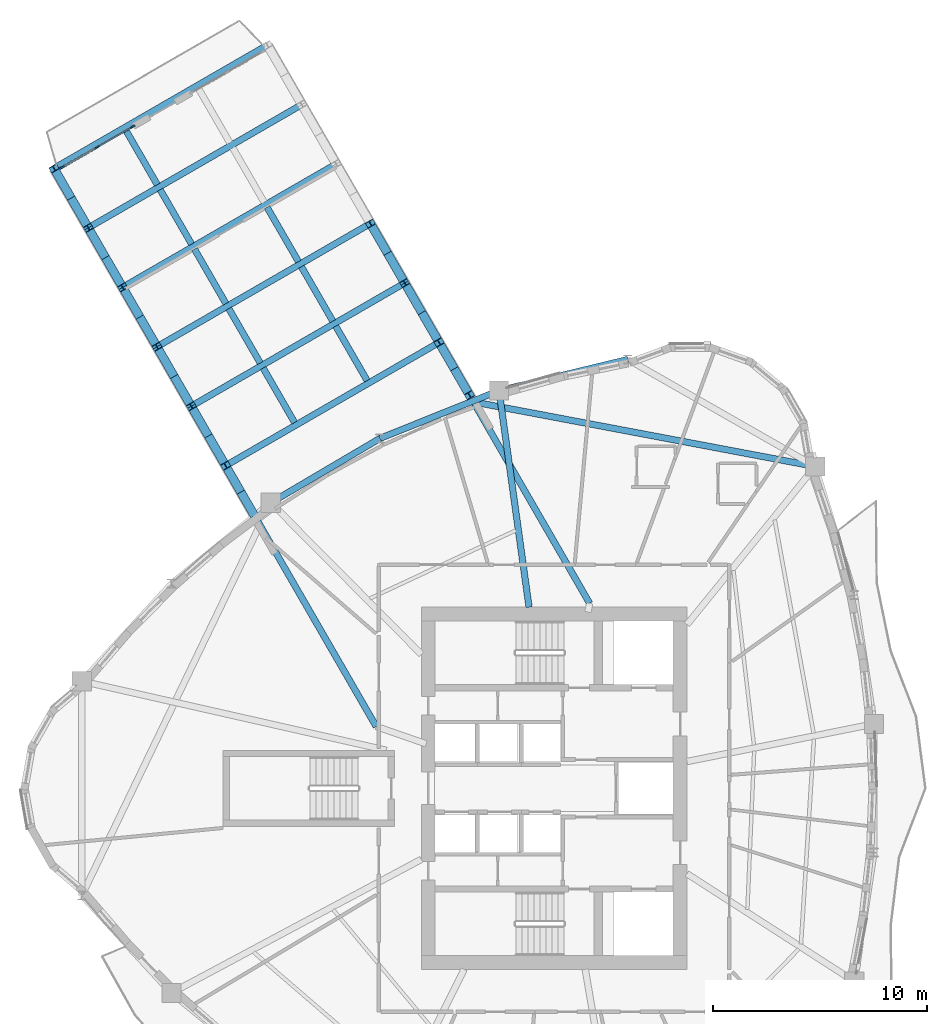
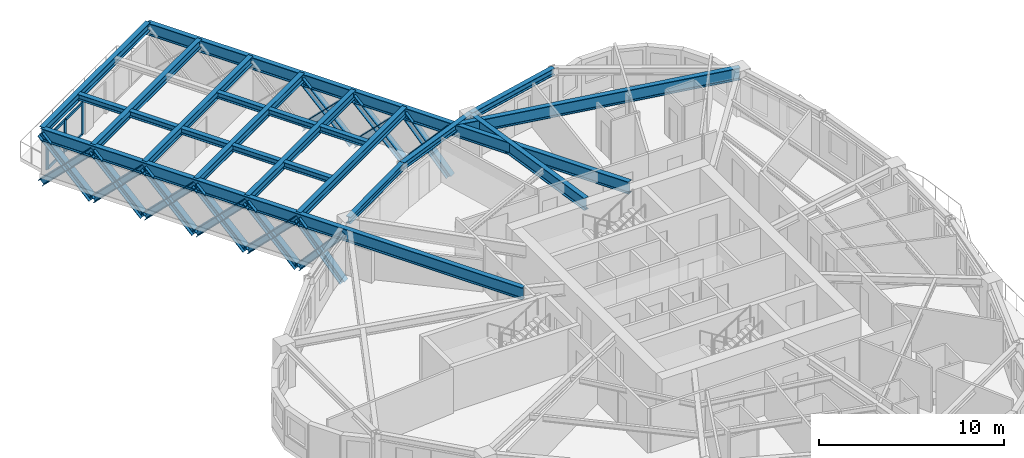
# One storey, part 2 of 14: 25 members, 21 beams, 1 element without a shape of its own.
"""IFC4 building model written with IfcOpenShell, lengths in metres."""

from ifc_helpers import new_model, si_unit, direction, frame, origin, origin_2d, place, context, subcontext, project, spatial, rectangle, i_section, extrude, source, transform, mapped, material, layer, layer_set, material_profile, profile_set, type_object, element, aggregate, save


model = new_model("IFC4")

# Units and contexts
model_context = context("Model", 3, precision=1e-05, world=origin(), true_north=direction((0.0, 1.0)))
body_context = subcontext(model_context, "Body", "Model", "MODEL_VIEW")
ifc_project = project(units=[si_unit("LENGTHUNIT", "METRE"), si_unit("AREAUNIT", "SQUARE_METRE"), si_unit("VOLUMEUNIT", "CUBIC_METRE"), si_unit("PLANEANGLEUNIT", "RADIAN"), si_unit("MASSUNIT", "GRAM", prefix="KILO")], contexts=[model_context])

# Site, building, storey
site_placement = place(None, origin())
site = spatial("IfcSite", under=ifc_project, at=site_placement, CompositionType="ELEMENT")
building_placement = place(site_placement, origin())
building = spatial("IfcBuilding", under=site, at=building_placement, Name="Qafzar Sky-Pleat Residences", CompositionType="ELEMENT")
storey_placement = place(building_placement, frame((0.0, 0.0, 83.199951171875)))
storey = spatial("IfcBuildingStorey", under=building, at=storey_placement, Name="L24", CompositionType="ELEMENT", Elevation=83.199951171875)

# Beams
ifc_material_1 = material(Name="Steel S355", Category="steel")
ifc_material_profile_1 = material_profile(ifc_material_1, i_section(OverallWidth=0.300048828125, OverallDepth=0.449951171875, WebThickness=0.013916015625, FlangeThickness=0.02587890625, FilletRadius=0.027099609375, at=origin_2d()), Name="HEB 450")
ifc_profile_set_1 = profile_set([ifc_material_profile_1], Name="Steel S355")
beam_type_1 = type_object("IfcBeamType", Name="BM-SPAN-HEB450", PredefinedType="SPANDREL", material=ifc_profile_set_1)
shared_shape_1 = source(origin(), body_context, "Body", "SweptSolid", [
    extrude(i_section(OverallWidth=0.300048828125, OverallDepth=0.449951171875, WebThickness=0.013916015625, FlangeThickness=0.02587890625, FilletRadius=0.027099609375, at=origin_2d()), origin(), (0.0, 0.0, 1.0), 5.914794921875),
])
beam_1_placement = place(storey_placement, frame((22.2265625, 42.331298828125, 2.7080078125), z_axis=(-0.861437212356, -0.50786408533, 0.0), x_axis=(0.50786408533, -0.861437212356, 0.0)))
element("IfcBeam", 1, at=beam_1_placement, inside=storey, type_object=beam_type_1, Name="L24 Perimeter Spandrel Beam 16", PredefinedType="SPANDREL", context=body_context, shape_type="MappedRepresentation", body=[
    mapped(shared_shape_1, transform((0.0, 0.0, 0.0), x_axis=(1.0, 0.0, 0.0), y_axis=(0.0, 1.0, 0.0), z_axis=(0.0, 0.0, 1.0), scale=1.0)),
])
shared_shape_2 = source(origin(), body_context, "Body", "SweptSolid", [
    extrude(i_section(OverallWidth=0.300048828125, OverallDepth=0.449951171875, WebThickness=0.013916015625, FlangeThickness=0.02587890625, FilletRadius=0.027099609375, at=origin_2d()), origin(), (0.0, 0.0, 1.0), 5.98291015625),
])
beam_2_placement = place(storey_placement, frame((27.778564453125, 44.560546875, 2.7080078125), z_axis=(-0.927989024901, -0.372607527653, 0.0), x_axis=(0.372607527653, -0.927989024901, 0.0)))
element("IfcBeam", 2, at=beam_2_placement, inside=storey, type_object=beam_type_1, Name="L24 Perimeter Spandrel Beam 15", PredefinedType="SPANDREL", context=body_context, shape_type="MappedRepresentation", body=[
    mapped(shared_shape_2, transform((0.0, 0.0, 0.0), x_axis=(1.0, 0.0, 0.0), y_axis=(0.0, 1.0, 0.0), z_axis=(0.0, 0.0, 1.0), scale=1.0)),
])
shared_shape_3 = source(origin(), body_context, "Body", "SweptSolid", [
    extrude(i_section(OverallWidth=0.300048828125, OverallDepth=0.449951171875, WebThickness=0.013916015625, FlangeThickness=0.02587890625, FilletRadius=0.027099609375, at=origin_2d()), origin(), (0.0, 0.0, 1.0), 6.18212890625),
])
beam_3_placement = place(storey_placement, frame((33.787109375, 46.015380859375, 2.7080078125), z_axis=(-0.971916102979, -0.235327620074, 0.0), x_axis=(0.235327620074, -0.971916102979, 0.0)))
element("IfcBeam", 3, at=beam_3_placement, inside=storey, type_object=beam_type_1, Name="L24 Perimeter Spandrel Beam 14", PredefinedType="SPANDREL", context=body_context, shape_type="MappedRepresentation", body=[
    mapped(shared_shape_3, transform((0.0, 0.0, 0.0), x_axis=(1.0, 0.0, 0.0), y_axis=(0.0, 1.0, 0.0), z_axis=(0.0, 0.0, 1.0), scale=1.0)),
])
ifc_material_2 = material(Name="Steel S460", Category="steel")
ifc_material_profile_2 = material_profile(ifc_material_2, i_section(OverallWidth=0.300048828125, OverallDepth=0.800048828125, WebThickness=0.017578125, FlangeThickness=0.032958984375, FilletRadius=0.030029296875, at=origin_2d()), Name="HEB 800")
ifc_profile_set_2 = profile_set([ifc_material_profile_2], Name="Steel S460")
beam_type_2 = type_object("IfcBeamType", Name="BM-CHORD-HEB800", PredefinedType="BEAM", material=ifc_profile_set_2)
shared_shape_4 = source(origin(), body_context, "Body", "SweptSolid", [
    extrude(i_section(OverallWidth=0.300048828125, OverallDepth=0.800048828125, WebThickness=0.017578125, FlangeThickness=0.032958984375, FilletRadius=0.030029296875, at=origin_2d()), origin(), (0.0, 0.0, 1.0), 10.20703125),
])
beam_4_placement = place(storey_placement, frame((27.778564453125, 44.560546875, 2.532958984375), z_axis=(0.137220936727, -0.990540465869, 0.0), x_axis=(0.990540465869, 0.137220936727, 0.0)))
element("IfcBeam", 4, at=beam_4_placement, inside=storey, type_object=beam_type_2, Name="L24 Radial Floor Girder 15", PredefinedType="BEAM", context=body_context, shape_type="MappedRepresentation", body=[
    mapped(shared_shape_4, transform((0.0, 0.0, 0.0), x_axis=(1.0, 0.0, 0.0), y_axis=(0.0, 1.0, 0.0), z_axis=(0.0, 0.0, 1.0), scale=1.0)),
])
shared_shape_5 = source(origin(), body_context, "Body", "SweptSolid", [
    extrude(i_section(OverallWidth=0.300048828125, OverallDepth=0.800048828125, WebThickness=0.017578125, FlangeThickness=0.032958984375, FilletRadius=0.030029296875, at=origin_2d()), origin(), (0.0, 0.0, 1.0), 30.072998046875),
])
for number, where, z_axis, x_axis, name in (
    (5, (22.04541015625, 28.884033203125, 2.532958984375), (-0.50000354778, 0.866023355463, 0.0), (-0.866023355463, -0.50000354778, 0.0), "L24 SB-2 Truss Chord L1"),
    (6, (32.004638671875, 34.634033203125, 2.532958984375), (-0.50000354778, 0.866023355463, 0.0), (-0.866023355463, -0.50000354778, 0.0), "L24 SB-2 Truss Chord R1"),
):
    element("IfcBeam", number, at=place(storey_placement, frame(where, z_axis=z_axis, x_axis=x_axis)), inside=storey, type_object=beam_type_2, Name=name, PredefinedType="BEAM", context=body_context, shape_type="MappedRepresentation", body=[
        mapped(shared_shape_5, transform((0.0, 0.0, 0.0), x_axis=(1.0, 0.0, 0.0), y_axis=(0.0, 1.0, 0.0), z_axis=(0.0, 0.0, 1.0), scale=1.0)),
    ])

# Members
ifc_material_profile_3 = material_profile(ifc_material_2, i_section(OverallWidth=0.40087890625, OverallDepth=0.39892578125, WebThickness=0.02294921875, FlangeThickness=0.035888671875, FilletRadius=0.014892578125, at=origin_2d()), Name="HD 400x314")
ifc_profile_set_3 = profile_set([ifc_material_profile_3], Name="Steel S460")
member_type_1 = type_object("IfcMemberType", Name="MEM-SB-DIAG", PredefinedType="BRACE", material=ifc_profile_set_3)
shared_shape_6 = source(origin(), body_context, "Body", "SweptSolid", [
    extrude(i_section(OverallWidth=0.40087890625, OverallDepth=0.39892578125, WebThickness=0.02294921875, FlangeThickness=0.035888671875, FilletRadius=0.014892578125, at=origin_2d()), origin(), (0.0, 0.0, 1.0), 4.281005859375),
])
for number, where, z_axis, x_axis, name in (
    (7, (16.4404296875, 38.59228515625, -0.6669921875), (-0.332144495251, 0.575264684683, 0.747496205229), (-0.866015446554, -0.500017246033, 0.0), "L24 SB-2 Truss Web Diagonal L1A"),
    (8, (16.4404296875, 38.59228515625, 2.532958984375), (-0.332144495251, 0.575264684683, -0.747496205229), (-0.866015446554, -0.500017246033, 0.0), "L24 SB-2 Truss Web Diagonal L1B"),
    (9, (26.399658203125, 44.34228515625, -0.6669921875), (-0.332144495251, 0.575264684683, 0.747496205229), (-0.866015446554, -0.500017246033, 0.0), "L24 SB-2 Truss Web Diagonal R1A"),
    (10, (26.399658203125, 44.34228515625, 2.532958984375), (-0.332144495251, 0.575264684683, -0.747496205229), (-0.866015446554, -0.500017246033, 0.0), "L24 SB-2 Truss Web Diagonal R1B"),
):
    element("IfcMember", number, at=place(storey_placement, frame(where, z_axis=z_axis, x_axis=x_axis)), inside=storey, type_object=member_type_1, Name=name, PredefinedType="BRACE", context=body_context, shape_type="MappedRepresentation", body=[
        mapped(shared_shape_6, transform((0.0, 0.0, 0.0), x_axis=(1.0, 0.0, 0.0), y_axis=(0.0, 1.0, 0.0), z_axis=(0.0, 0.0, 1.0), scale=1.0)),
    ])
shared_shape_7 = source(origin(), body_context, "Body", "SweptSolid", [
    extrude(i_section(OverallWidth=0.40087890625, OverallDepth=0.39892578125, WebThickness=0.02294921875, FlangeThickness=0.035888671875, FilletRadius=0.014892578125, at=origin_2d()), origin(), (0.0, 0.0, 1.0), 4.5283203125),
])
for number, where, z_axis, x_axis, name in (
    (11, (15.0185546875, 41.054931640625, -0.6669921875), (-0.353790834917, 0.612745022681, 0.706665113267), (-0.866011737025, -0.500023670775, 0.0), "L24 SB-2 Truss Web Diagonal L2A"),
    (12, (15.0185546875, 41.054931640625, 2.532958984375), (-0.353790834917, 0.612745022681, -0.706665113267), (-0.866011737025, -0.500023670775, 0.0), "L24 SB-2 Truss Web Diagonal L2B"),
    (13, (11.814697265625, 46.604248046875, -0.6669921875), (-0.353790834917, 0.612745022681, 0.706665113267), (-0.866011737025, -0.500023670775, 0.0), "L24 SB-2 Truss Web Diagonal L4A"),
    (14, (11.814697265625, 46.604248046875, 2.532958984375), (-0.353790834917, 0.612745022681, -0.706665113267), (-0.866011737025, -0.500023670775, 0.0), "L24 SB-2 Truss Web Diagonal L4B"),
    (15, (24.977783203125, 46.804931640625, -0.6669921875), (-0.353790834917, 0.612745022681, 0.706665113267), (-0.866011737025, -0.500023670775, 0.0), "L24 SB-2 Truss Web Diagonal R2A"),
    (16, (24.977783203125, 46.804931640625, 2.532958984375), (-0.353790834917, 0.612745022681, -0.706665113267), (-0.866011737025, -0.500023670775, 0.0), "L24 SB-2 Truss Web Diagonal R2B"),
):
    element("IfcMember", number, at=place(storey_placement, frame(where, z_axis=z_axis, x_axis=x_axis)), inside=storey, type_object=member_type_1, Name=name, PredefinedType="BRACE", context=body_context, shape_type="MappedRepresentation", body=[
        mapped(shared_shape_7, transform((0.0, 0.0, 0.0), x_axis=(1.0, 0.0, 0.0), y_axis=(0.0, 1.0, 0.0), z_axis=(0.0, 0.0, 1.0), scale=1.0)),
    ])
shared_shape_8 = source(origin(), body_context, "Body", "SweptSolid", [
    extrude(i_section(OverallWidth=0.40087890625, OverallDepth=0.39892578125, WebThickness=0.02294921875, FlangeThickness=0.035888671875, FilletRadius=0.014892578125, at=origin_2d()), origin(), (0.0, 0.0, 1.0), 4.528076171875),
])
for number, where, z_axis, x_axis, name in (
    (17, (13.41650390625, 43.82958984375, -0.6669921875), (-0.353743666917, 0.612756710031, 0.706678592026), (-0.866044732957, -0.499966519396, 0.0), "L24 SB-2 Truss Web Diagonal L3A"),
    (18, (13.41650390625, 43.82958984375, 2.532958984375), (-0.353743666917, 0.612756710031, -0.706678592026), (-0.866044732957, -0.499966519396, 0.0), "L24 SB-2 Truss Web Diagonal L3B"),
    (19, (10.212646484375, 49.37890625, -0.6669921875), (-0.353743666917, 0.612756710031, 0.706678592026), (-0.866044732957, -0.499966519396, 0.0), "L24 SB-2 Truss Web Diagonal L5A"),
    (20, (10.212646484375, 49.37890625, 2.532958984375), (-0.353743666917, 0.612756710031, -0.706678592026), (-0.866044732957, -0.499966519396, 0.0), "L24 SB-2 Truss Web Diagonal L5B"),
    (21, (8.61083984375, 52.153564453125, -0.6669921875), (-0.353802522888, 0.61271134869, 0.70668845893), (-0.865992683363, -0.500056669151, 0.0), "L24 SB-2 Truss Web Diagonal L6A"),
    (22, (8.61083984375, 52.153564453125, 2.532958984375), (-0.353802522888, 0.61271134869, -0.70668845893), (-0.865992683363, -0.500056669151, 0.0), "L24 SB-2 Truss Web Diagonal L6B"),
    (23, (23.375732421875, 49.57958984375, -0.6669921875), (-0.353743666917, 0.612756710031, 0.706678592026), (-0.866044732957, -0.499966519396, 0.0), "L24 SB-2 Truss Web Diagonal R3A"),
    (24, (23.375732421875, 49.57958984375, 2.532958984375), (-0.353743666917, 0.612756710031, -0.706678592026), (-0.866044732957, -0.499966519396, 0.0), "L24 SB-2 Truss Web Diagonal R3B"),
):
    element("IfcMember", number, at=place(storey_placement, frame(where, z_axis=z_axis, x_axis=x_axis)), inside=storey, type_object=member_type_1, Name=name, PredefinedType="BRACE", context=body_context, shape_type="MappedRepresentation", body=[
        mapped(shared_shape_8, transform((0.0, 0.0, 0.0), x_axis=(1.0, 0.0, 0.0), y_axis=(0.0, 1.0, 0.0), z_axis=(0.0, 0.0, 1.0), scale=1.0)),
    ])

# Beams
shared_shape_9 = source(origin(), body_context, "Body", "SweptSolid", [
    extrude(i_section(OverallWidth=0.300048828125, OverallDepth=0.800048828125, WebThickness=0.017578125, FlangeThickness=0.032958984375, FilletRadius=0.030029296875, at=origin_2d()), origin(), (0.0, 0.0, 1.0), 16.234619140625),
])
beam_5_placement = place(storey_placement, frame((42.532470703125, 41.01904296875, 2.532958984375), z_axis=(-0.982644848636, 0.185496904151, 0.0), x_axis=(-0.185496904151, -0.982644848636, 0.0)))
element("IfcBeam", 25, at=beam_5_placement, inside=storey, type_object=beam_type_2, Name="L24 SB-2 Wing-Belt Top Chord R", PredefinedType="BEAM", context=body_context, shape_type="MappedRepresentation", body=[
    mapped(shared_shape_9, transform((0.0, 0.0, 0.0), x_axis=(1.0, 0.0, 0.0), y_axis=(0.0, 1.0, 0.0), z_axis=(0.0, 0.0, 1.0), scale=1.0)),
])
ifc_material_profile_4 = material_profile(ifc_material_1, i_section(OverallWidth=0.300048828125, OverallDepth=0.550048828125, WebThickness=0.014892578125, FlangeThickness=0.029052734375, FilletRadius=0.027099609375, at=origin_2d()), Name="HEB 550")
ifc_profile_set_4 = profile_set([ifc_material_profile_4], Name="Steel S355")
beam_type_3 = type_object("IfcBeamType", Name="BM-GIRD-HEB550", PredefinedType="BEAM", material=ifc_profile_set_4)
shared_shape_10 = source(origin(), body_context, "Body", "SweptSolid", [
    extrude(i_section(OverallWidth=0.300048828125, OverallDepth=0.550048828125, WebThickness=0.014892578125, FlangeThickness=0.029052734375, FilletRadius=0.027099609375, at=origin_2d()), origin(), (0.0, 0.0, 1.0), 11.5),
])
for number, where, z_axis, x_axis, name in (
    (26, (15.0185546875, 41.054931640625, 2.657958984375), (0.866024020559, 0.500002395808, 0.0), (-0.500002395808, 0.866024020559, 0.0), "L24 SB-2 Transverse Girder 1"),
    (27, (13.41650390625, 43.82958984375, 2.657958984375), (0.866024020559, 0.500002395808, 0.0), (-0.500002395808, 0.866024020559, 0.0), "L24 SB-2 Transverse Girder 2"),
    (28, (11.814697265625, 46.604248046875, 2.657958984375), (0.866024020559, 0.500002395808, 0.0), (-0.500002395808, 0.866024020559, 0.0), "L24 SB-2 Transverse Girder 3"),
    (29, (10.212646484375, 49.37890625, 2.657958984375), (0.866024020559, 0.500002395808, 0.0), (-0.500002395808, 0.866024020559, 0.0), "L24 SB-2 Transverse Girder 4"),
    (30, (8.61083984375, 52.153564453125, 2.657958984375), (0.866024020559, 0.500002395808, 0.0), (-0.500002395808, 0.866024020559, 0.0), "L24 SB-2 Transverse Girder 5"),
    (31, (7.0087890625, 54.927978515625, 2.657958984375), (0.866024020559, 0.500002395808, 0.0), (-0.500002395808, 0.866024020559, 0.0), "L24 SB-2 Transverse Girder 6"),
):
    element("IfcBeam", number, at=place(storey_placement, frame(where, z_axis=z_axis, x_axis=x_axis)), inside=storey, type_object=beam_type_3, Name=name, PredefinedType="BEAM", context=body_context, shape_type="MappedRepresentation", body=[
        mapped(shared_shape_10, transform((0.0, 0.0, 0.0), x_axis=(1.0, 0.0, 0.0), y_axis=(0.0, 1.0, 0.0), z_axis=(0.0, 0.0, 1.0), scale=1.0)),
    ])
ifc_material_profile_5 = material_profile(ifc_material_1, i_section(OverallWidth=0.300048828125, OverallDepth=0.389892578125, WebThickness=0.010986328125, FlangeThickness=0.01904296875, FilletRadius=0.027099609375, at=origin_2d()), Name="HEA 400")
ifc_profile_set_5 = profile_set([ifc_material_profile_5], Name="Steel S355")
beam_type_4 = type_object("IfcBeamType", Name="BM-SBJ-HEA400", PredefinedType="JOIST", material=ifc_profile_set_5)
shared_shape_11 = source(origin(), body_context, "Body", "SweptSolid", [
    extrude(i_section(OverallWidth=0.300048828125, OverallDepth=0.389892578125, WebThickness=0.010986328125, FlangeThickness=0.01904296875, FilletRadius=0.027099609375, at=origin_2d()), origin(), (0.0, 0.0, 1.0), 2.933837890625),
])
for number, where, z_axis, x_axis, name in (
    (32, (21.623779296875, 45.0244140625, 2.738037109375), (-0.500032187732, 0.866006819391, 0.0), (-0.866006819391, -0.500032187732, 0.0), "L24 SB-2 Sky-Bar Secondary Deck Joist 2.1"),
    (33, (20.021728515625, 47.799072265625, 2.738037109375), (-0.500032187732, 0.866006819391, 0.0), (-0.866006819391, -0.500032187732, 0.0), "L24 SB-2 Sky-Bar Secondary Deck Joist 3.1"),
    (34, (16.635498046875, 45.843994140625, 2.738037109375), (-0.499969776107, 0.866042852854, 0.0), (-0.866042852854, -0.499969776107, 0.0), "L24 SB-2 Sky-Bar Secondary Deck Joist 3.2"),
    (35, (18.419921875, 50.57373046875, 2.738037109375), (-0.500032187732, 0.866006819391, 0.0), (-0.866006819391, -0.500032187732, 0.0), "L24 SB-2 Sky-Bar Secondary Deck Joist 4.1"),
    (36, (15.03369140625, 48.61865234375, 2.738037109375), (-0.500032187732, 0.866006819391, 0.0), (-0.866006819391, -0.500032187732, 0.0), "L24 SB-2 Sky-Bar Secondary Deck Joist 4.2"),
    (37, (13.431640625, 51.393310546875, 2.738037109375), (-0.499969776107, 0.866042852854, 0.0), (-0.866042852854, -0.499969776107, 0.0), "L24 SB-2 Sky-Bar Secondary Deck Joist 5.2"),
):
    element("IfcBeam", number, at=place(storey_placement, frame(where, z_axis=z_axis, x_axis=x_axis)), inside=storey, type_object=beam_type_4, Name=name, PredefinedType="JOIST", context=body_context, shape_type="MappedRepresentation", body=[
        mapped(shared_shape_11, transform((0.0, 0.0, 0.0), x_axis=(1.0, 0.0, 0.0), y_axis=(0.0, 1.0, 0.0), z_axis=(0.0, 0.0, 1.0), scale=1.0)),
    ])
shared_shape_12 = source(origin(), body_context, "Body", "SweptSolid", [
    extrude(i_section(OverallWidth=0.300048828125, OverallDepth=0.389892578125, WebThickness=0.010986328125, FlangeThickness=0.01904296875, FilletRadius=0.027099609375, at=origin_2d()), origin(), (0.0, 0.0, 1.0), 2.93408203125),
])
beam_6_placement = place(storey_placement, frame((18.237548828125, 43.0693359375, 2.738037109375), z_axis=(-0.499996155683, 0.86602762329, 0.0), x_axis=(-0.86602762329, -0.499996155683, 0.0)))
element("IfcBeam", 38, at=beam_6_placement, inside=storey, type_object=beam_type_4, Name="L24 SB-2 Sky-Bar Secondary Deck Joist 2.2", PredefinedType="JOIST", context=body_context, shape_type="MappedRepresentation", body=[
    mapped(shared_shape_12, transform((0.0, 0.0, 0.0), x_axis=(1.0, 0.0, 0.0), y_axis=(0.0, 1.0, 0.0), z_axis=(0.0, 0.0, 1.0), scale=1.0)),
])
shared_shape_13 = source(origin(), body_context, "Body", "SweptSolid", [
    extrude(i_section(OverallWidth=0.300048828125, OverallDepth=0.389892578125, WebThickness=0.010986328125, FlangeThickness=0.01904296875, FilletRadius=0.027099609375, at=origin_2d()), origin(), (0.0, 0.0, 1.0), 2.93359375),
])
beam_7_placement = place(storey_placement, frame((11.829833984375, 54.16796875, 2.738037109375), z_axis=(-0.500068224108, 0.865986010994, 0.0), x_axis=(-0.865986010994, -0.500068224108, 0.0)))
element("IfcBeam", 39, at=beam_7_placement, inside=storey, type_object=beam_type_4, Name="L24 SB-2 Sky-Bar Secondary Deck Joist 6.2", PredefinedType="JOIST", context=body_context, shape_type="MappedRepresentation", body=[
    mapped(shared_shape_13, transform((0.0, 0.0, 0.0), x_axis=(1.0, 0.0, 0.0), y_axis=(0.0, 1.0, 0.0), z_axis=(0.0, 0.0, 1.0), scale=1.0)),
])

# Curtain wall, members
ifc_material_3 = material(Name="Anodised bronze aluminium framing", Category="aluminium")
ifc_layer = layer(ifc_material_3, 0.239990234375)
ifc_layer_set = layer_set([ifc_layer], Name="Anodised bronze aluminium framing")
curtain_wall_type = type_object("IfcCurtainWallType", Name="CW-SYS-02", PredefinedType="NOTDEFINED", material=ifc_layer_set)
curtain_wall_placement = place(storey_placement, origin())
curtain_wall = element("IfcCurtainWall", 40, at=curtain_wall_placement, inside=storey, type_object=curtain_wall_type, Name="L24 CW-02 Curtain Wall CW-L24-SB-2-PROW-L", PredefinedType="NOTDEFINED")
ifc_material_4 = material(Name="Anodised bronze aluminium", Category="aluminium")
ifc_material_profile_6 = material_profile(ifc_material_4, rectangle(XDim=0.074951171875, YDim=0.239990234375, at=origin_2d()), Name="ALU MULLION 75x240")
ifc_profile_set_6 = profile_set([ifc_material_profile_6], Name="Anodised bronze aluminium")
member_type_2 = type_object("IfcMemberType", Name="CWM-02", PredefinedType="MULLION", material=ifc_profile_set_6)
shared_shape_14 = source(origin(), body_context, "Body", "SweptSolid", [
    extrude(rectangle(XDim=0.074951171875, YDim=0.239990234375, at=origin_2d()), origin(), (0.0, 0.0, 1.0), 2.114990234375),
])
member_1_placement = place(storey_placement, frame((7.384765625, 54.971923828125, 0.0), z_axis=(0.0, 0.0, 1.0), x_axis=(-0.49999760802, 0.86602678479, 0.0)))
member_1 = element("IfcMember", 41, at=member_1_placement, type_object=member_type_2, Name="CW-02 mullion 1", PredefinedType="MULLION", context=body_context, shape_type="MappedRepresentation", body=[
    mapped(shared_shape_14, transform((0.0, 0.0, 0.0), x_axis=(1.0, 0.0, 0.0), y_axis=(0.0, 1.0, 0.0), z_axis=(0.0, 0.0, 1.0), scale=1.0)),
])
member_2_placement = place(storey_placement, frame((9.032470703125, 55.923095703125, 0.0), z_axis=(0.0, 0.0, 1.0), x_axis=(-0.49999760802, 0.86602678479, 0.0)))
member_2 = element("IfcMember", 42, at=member_2_placement, type_object=member_type_2, Name="CW-02 mullion 2", PredefinedType="MULLION", context=body_context, shape_type="MappedRepresentation", body=[
    mapped(shared_shape_14, transform((0.0, 0.0, 0.0), x_axis=(1.0, 0.0, 0.0), y_axis=(0.0, 1.0, 0.0), z_axis=(0.0, 0.0, 1.0), scale=1.0)),
])
member_3_placement = place(storey_placement, frame((10.679931640625, 56.874267578125, 0.0), z_axis=(0.0, 0.0, 1.0), x_axis=(-0.49999760802, 0.86602678479, 0.0)))
member_3 = element("IfcMember", 43, at=member_3_placement, type_object=member_type_2, Name="CW-02 mullion 3", PredefinedType="MULLION", context=body_context, shape_type="MappedRepresentation", body=[
    mapped(shared_shape_14, transform((0.0, 0.0, 0.0), x_axis=(1.0, 0.0, 0.0), y_axis=(0.0, 1.0, 0.0), z_axis=(0.0, 0.0, 1.0), scale=1.0)),
])
ifc_material_profile_7 = material_profile(ifc_material_4, rectangle(XDim=0.074951171875, YDim=0.179931640625, at=origin_2d()), Name="ALU TRANSOM 75x180")
ifc_profile_set_7 = profile_set([ifc_material_profile_7], Name="Anodised bronze aluminium")
member_type_3 = type_object("IfcMemberType", Name="CWT-02", PredefinedType="USERDEFINED", material=ifc_profile_set_7)
shared_shape_15 = source(origin(), body_context, "Body", "SweptSolid", [
    extrude(rectangle(XDim=0.074951171875, YDim=0.179931640625, at=origin_2d()), origin(), (0.0, 0.0, 1.0), 1.82763671875),
])
member_4_placement = place(storey_placement, frame((7.417236328125, 54.990478515625, 0.03759765625), z_axis=(0.866023193876, 0.500003827654, 0.0), x_axis=(-0.500003827654, 0.866023193876, 0.0)))
member_4 = element("IfcMember", 44, at=member_4_placement, type_object=member_type_3, Name="CW-02 transom 1.1", ObjectType="TRANSOM", PredefinedType="USERDEFINED", context=body_context, shape_type="MappedRepresentation", body=[
    mapped(shared_shape_15, transform((0.0, 0.0, 0.0), x_axis=(1.0, 0.0, 0.0), y_axis=(0.0, 1.0, 0.0), z_axis=(0.0, 0.0, 1.0), scale=1.0)),
])
member_5_placement = place(storey_placement, frame((7.417236328125, 54.990478515625, 2.07763671875), z_axis=(0.866023193876, 0.500003827654, 0.0), x_axis=(-0.500003827654, 0.866023193876, 0.0)))
member_5 = element("IfcMember", 45, at=member_5_placement, type_object=member_type_3, Name="CW-02 transom 1.2", ObjectType="TRANSOM", PredefinedType="USERDEFINED", context=body_context, shape_type="MappedRepresentation", body=[
    mapped(shared_shape_15, transform((0.0, 0.0, 0.0), x_axis=(1.0, 0.0, 0.0), y_axis=(0.0, 1.0, 0.0), z_axis=(0.0, 0.0, 1.0), scale=1.0)),
])
shared_shape_16 = source(origin(), body_context, "Body", "SweptSolid", [
    extrude(rectangle(XDim=0.074951171875, YDim=0.179931640625, at=origin_2d()), origin(), (0.0, 0.0, 1.0), 1.827392578125),
])
member_6_placement = place(storey_placement, frame((9.06494140625, 55.94189453125, 0.03759765625), z_axis=(0.865989791641, 0.500061676969, 0.0), x_axis=(-0.500061676969, 0.865989791641, 0.0)))
member_6 = element("IfcMember", 46, at=member_6_placement, type_object=member_type_3, Name="CW-02 transom 2.1", ObjectType="TRANSOM", PredefinedType="USERDEFINED", context=body_context, shape_type="MappedRepresentation", body=[
    mapped(shared_shape_16, transform((0.0, 0.0, 0.0), x_axis=(1.0, 0.0, 0.0), y_axis=(0.0, 1.0, 0.0), z_axis=(0.0, 0.0, 1.0), scale=1.0)),
])
member_7_placement = place(storey_placement, frame((9.06494140625, 55.94189453125, 2.07763671875), z_axis=(0.865989791641, 0.500061676969, 0.0), x_axis=(-0.500061676969, 0.865989791641, 0.0)))
member_7 = element("IfcMember", 47, at=member_7_placement, type_object=member_type_3, Name="CW-02 transom 2.2", ObjectType="TRANSOM", PredefinedType="USERDEFINED", context=body_context, shape_type="MappedRepresentation", body=[
    mapped(shared_shape_16, transform((0.0, 0.0, 0.0), x_axis=(1.0, 0.0, 0.0), y_axis=(0.0, 1.0, 0.0), z_axis=(0.0, 0.0, 1.0), scale=1.0)),
])
aggregate(curtain_wall, [member_1, member_2, member_3, member_4, member_5, member_6, member_7])

save(model, "model.ifc")
